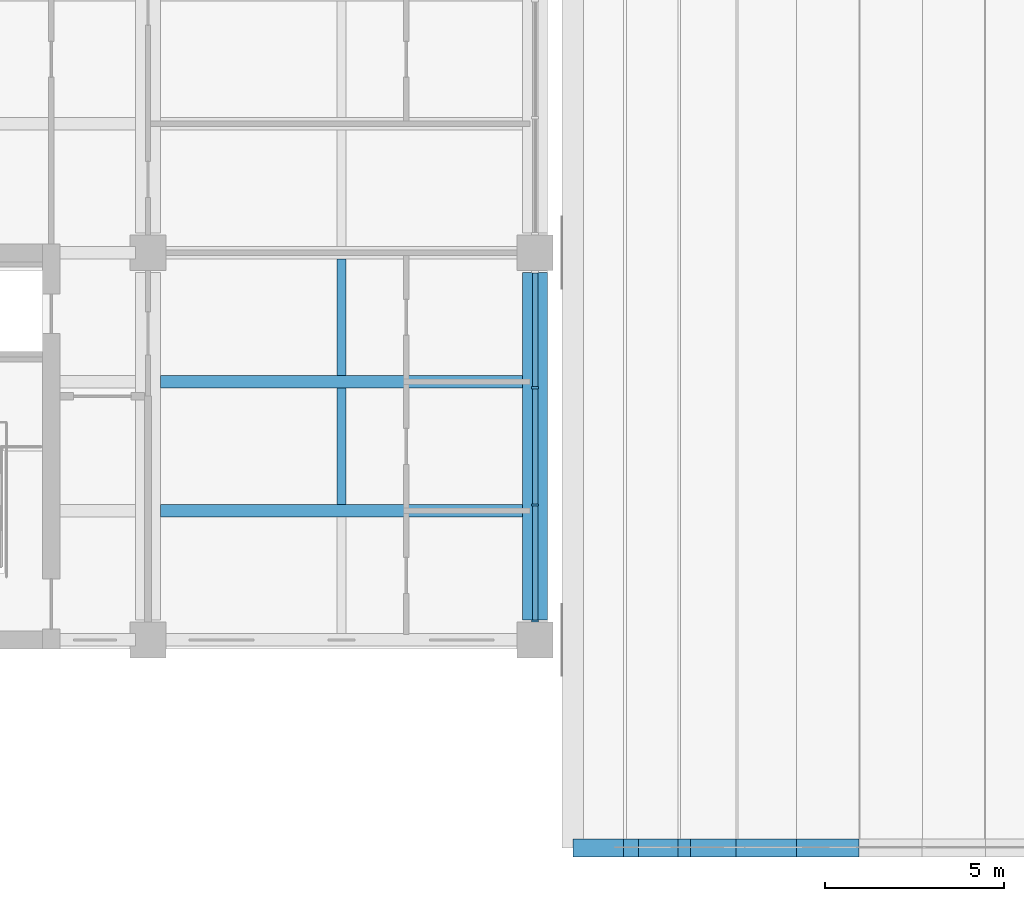
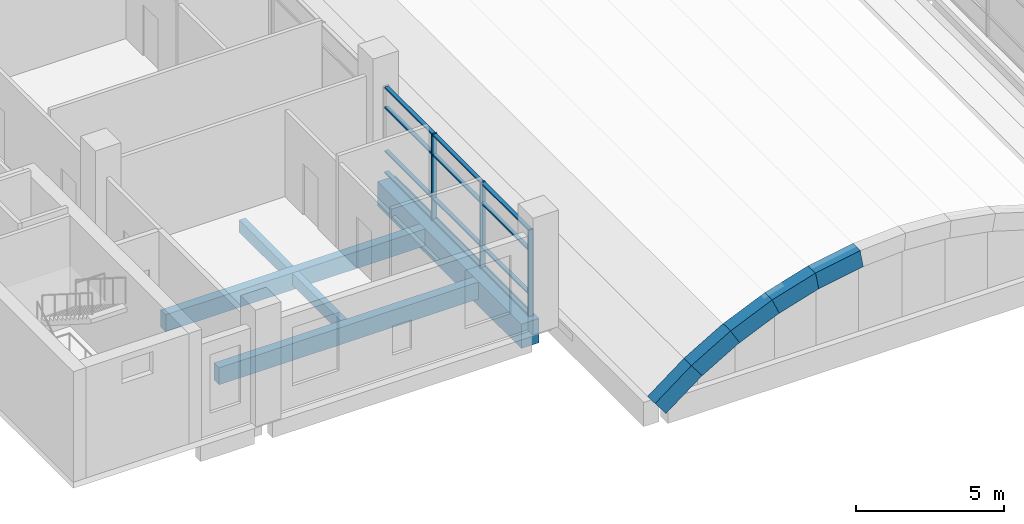
# One storey, part 2 of 45: 15 members, 10 beams, 1 element without a shape of its own.
"""IFC4 building model written with IfcOpenShell, lengths in metres."""

from ifc_helpers import new_model, si_unit, direction, frame, origin, origin_2d, place, context, subcontext, project, spatial, rectangle, extrude, material, layer, layer_set, material_profile, profile_set, type_object, element, aggregate, save


model = new_model("IFC4")

# Units and contexts
model_context = context("Model", 3, precision=1e-05, world=origin(), true_north=direction((0.0, 1.0)))
body_context = subcontext(model_context, "Body", "Model", "MODEL_VIEW")
ifc_project = project(units=[si_unit("LENGTHUNIT", "METRE"), si_unit("AREAUNIT", "SQUARE_METRE"), si_unit("VOLUMEUNIT", "CUBIC_METRE"), si_unit("PLANEANGLEUNIT", "RADIAN"), si_unit("MASSUNIT", "GRAM", prefix="KILO")], contexts=[model_context])

# Site, building, storey
site_placement = place(None, origin())
site = spatial("IfcSite", under=ifc_project, at=site_placement, CompositionType="ELEMENT")
building_placement = place(site_placement, origin())
building = spatial("IfcBuilding", under=site, at=building_placement, Name="Basin Gate Institute", CompositionType="ELEMENT")
storey_placement = place(building_placement, frame((0.0, 0.0, 22.199951171875)))
storey = spatial("IfcBuildingStorey", under=building, at=storey_placement, Name="L04", CompositionType="ELEMENT", Elevation=22.199951171875)

# Beams
ifc_material_1 = material(Name="Concrete 40 MPa", Category="concrete")
ifc_material_profile_1 = material_profile(ifc_material_1, rectangle(XDim=0.35009765625, YDim=0.699951171875, at=origin_2d()), Name="Beam B1 350 x 700")
ifc_profile_set_1 = profile_set([ifc_material_profile_1], Name="Concrete 40 MPa")
beam_type_1 = type_object("IfcBeamType", Name="Beam B1 R120", PredefinedType="BEAM", material=ifc_profile_set_1)
for number, where, z_axis, x_axis, name in (
    (1, (68.75, 38.699951171875, -0.599853515625), (1.0, 0.0, 0.0), (0.0, 1.0, 0.0), "BEAM/L04/W/EW/02"),
    (2, (68.75, 42.300048828125, -0.599853515625), (1.0, 0.0, 0.0), (0.0, 1.0, 0.0), "BEAM/L04/W/EW/03"),
):
    element("IfcBeam", number, at=place(storey_placement, frame(where, z_axis=z_axis, x_axis=x_axis)), inside=storey, type_object=beam_type_1, material=ifc_profile_set_1, Name=name, PredefinedType="BEAM", context=body_context, shape_type="SweptSolid", body=[
        extrude(rectangle(XDim=0.35009765625, YDim=0.699951171875, at=origin_2d()), origin(), (0.0, 0.0, 1.0), 10.10009765625),
    ])
ifc_material_2 = material(Name="Concrete 50 MPa", Category="concrete")
ifc_material_profile_2 = material_profile(ifc_material_2, rectangle(XDim=0.699951171875, YDim=1.0, at=origin_2d()), Name="Girder G1 700 x 1000")
ifc_profile_set_2 = profile_set([ifc_material_profile_2], Name="Concrete 50 MPa")
beam_type_2 = type_object("IfcBeamType", Name="Girder G1 R120", PredefinedType="BEAM", material=ifc_profile_set_2)
beam_1_placement = place(storey_placement, frame((79.199951171875, 35.64990234375, -0.75), z_axis=(0.0, 1.0, 0.0), x_axis=(-1.0, 0.0, 0.0)))
element("IfcBeam", 3, at=beam_1_placement, inside=storey, type_object=beam_type_2, material=ifc_profile_set_2, Name="GIR/L04/W6/1", PredefinedType="BEAM", context=body_context, shape_type="SweptSolid", body=[
    extrude(rectangle(XDim=0.699951171875, YDim=1.0, at=origin_2d()), origin(), (0.0, 0.0, 1.0), 9.7001953125),
])

# Curtain wall, members
ifc_material_3 = material(Name="Aluminium-framed glazing", Category="aluminium")
ifc_layer = layer(ifc_material_3, 0.199951171875)
ifc_layer_set = layer_set([ifc_layer], Name="Atrium curtain wall CW2")
curtain_wall_type = type_object("IfcCurtainWallType", Name="Atrium curtain wall CW2", PredefinedType="NOTDEFINED", material=ifc_layer_set)
curtain_wall_placement = place(storey_placement, origin())
curtain_wall = element("IfcCurtainWall", 4, at=curtain_wall_placement, inside=storey, type_object=curtain_wall_type, material=ifc_layer_set, Name="Atrium curtain wall W wing atrium bay 1 L04", PredefinedType="NOTDEFINED")
ifc_material_4 = material(Name="Aluminium", Category="aluminium")
ifc_material_profile_3 = material_profile(ifc_material_4, rectangle(XDim=0.199951171875, YDim=0.06005859375, at=origin_2d()), Name="Mullion MU2 200 x 60")
ifc_profile_set_3 = profile_set([ifc_material_profile_3], Name="Aluminium")
member_type_1 = type_object("IfcMemberType", Name="Mullion MU2", PredefinedType="MULLION", material=ifc_profile_set_3)
member_1_placement = place(storey_placement, frame((79.199951171875, 35.6298828125, 0.0), z_axis=(0.0, 0.0, 1.0), x_axis=(-1.0, 0.0, 0.0)))
member_1 = element("IfcMember", 5, at=member_1_placement, type_object=member_type_1, material=ifc_profile_set_3, Name="CW2 mullion 1", PredefinedType="MULLION", context=body_context, shape_type="SweptSolid", body=[
    extrude(rectangle(XDim=0.199951171875, YDim=0.06005859375, at=origin_2d()), origin(), (0.0, 0.0, 1.0), 3.550048828125),
])
member_2_placement = place(storey_placement, frame((79.199951171875, 38.86669921875, 0.0), z_axis=(0.0, 0.0, 1.0), x_axis=(-1.0, 0.0, 0.0)))
member_2 = element("IfcMember", 6, at=member_2_placement, type_object=member_type_1, material=ifc_profile_set_3, Name="CW2 mullion 2", PredefinedType="MULLION", context=body_context, shape_type="SweptSolid", body=[
    extrude(rectangle(XDim=0.199951171875, YDim=0.06005859375, at=origin_2d()), origin(), (0.0, 0.0, 1.0), 3.550048828125),
])
member_3_placement = place(storey_placement, frame((79.199951171875, 42.13330078125, 0.0), z_axis=(0.0, 0.0, 1.0), x_axis=(-1.0, 0.0, 0.0)))
member_3 = element("IfcMember", 7, at=member_3_placement, type_object=member_type_1, material=ifc_profile_set_3, Name="CW2 mullion 3", PredefinedType="MULLION", context=body_context, shape_type="SweptSolid", body=[
    extrude(rectangle(XDim=0.199951171875, YDim=0.06005859375, at=origin_2d()), origin(), (0.0, 0.0, 1.0), 3.550048828125),
])

# Beams
ifc_material_5 = material(Name="Concrete 40 MPa", Category="concrete")
ifc_material_profile_4 = material_profile(ifc_material_5, rectangle(XDim=0.25, YDim=0.5, at=origin_2d()), Name="Rib R1 250 x 500")
ifc_profile_set_4 = profile_set([ifc_material_profile_4], Name="Concrete 40 MPa")
beam_type_3 = type_object("IfcBeamType", Name="Rib R1 R120", PredefinedType="JOIST", material=ifc_profile_set_4)
for number, where, z_axis, x_axis, name in (
    (8, (73.800048828125, 38.875, -0.5), (0.0, 1.0, 0.0), (-1.0, 0.0, 0.0), "BEAM/L04/W/RIB/02"),
    (9, (73.800048828125, 42.47509765625, -0.5), (0.0, 1.0, 0.0), (-1.0, 0.0, 0.0), "BEAM/L04/W/RIB/03"),
):
    element("IfcBeam", number, at=place(storey_placement, frame(where, z_axis=z_axis, x_axis=x_axis)), inside=storey, type_object=beam_type_3, material=ifc_profile_set_4, Name=name, PredefinedType="JOIST", context=body_context, shape_type="SweptSolid", body=[
        extrude(rectangle(XDim=0.25, YDim=0.5, at=origin_2d()), origin(), (0.0, 0.0, 1.0), 3.25),
    ])
ifc_material_6 = material(Name="Concrete 40 MPa", Category="concrete")
ifc_material_profile_5 = material_profile(ifc_material_6, rectangle(XDim=0.5, YDim=0.699951171875, at=origin_2d()), Name="Shell arch rib SR1 500 x 700")
ifc_profile_set_5 = profile_set([ifc_material_profile_5], Name="Concrete 40 MPa")
beam_type_4 = type_object("IfcBeamType", Name="Shell arch rib SR1 R120", PredefinedType="BEAM", material=ifc_profile_set_5)
beam_2_placement = place(storey_placement, frame((80.4609375, 29.300048828125, -0.279052734375), z_axis=(0.796941083787, 0.0, 0.604057041158), x_axis=(0.0, 1.0, 0.0)))
element("IfcBeam", 10, at=beam_2_placement, inside=storey, type_object=beam_type_4, material=ifc_profile_set_5, Name="Atrium shell end rib 1 segment 1", PredefinedType="BEAM", context=body_context, shape_type="SweptSolid", body=[
    extrude(rectangle(XDim=0.5, YDim=0.699951171875, at=origin_2d()), origin(), (0.0, 0.0, 1.0), 1.768310546875),
])
beam_3_placement = place(storey_placement, frame((81.8359375, 29.300048828125, 0.76611328125), z_axis=(0.862700047675, 0.0, 0.505715955593), x_axis=(0.0, 1.0, 0.0)))
element("IfcBeam", 11, at=beam_3_placement, inside=storey, type_object=beam_type_4, material=ifc_profile_set_5, Name="Atrium shell end rib 1 segment 2", PredefinedType="BEAM", context=body_context, shape_type="SweptSolid", body=[
    extrude(rectangle(XDim=0.5, YDim=0.699951171875, at=origin_2d()), origin(), (0.0, 0.0, 1.0), 1.767822265625),
])
beam_4_placement = place(storey_placement, frame((83.323974609375, 29.300048828125, 1.64111328125), z_axis=(0.916030487787, 0.0, 0.401108645436), x_axis=(0.0, 1.0, 0.0)))
element("IfcBeam", 12, at=beam_4_placement, inside=storey, type_object=beam_type_4, material=ifc_profile_set_5, Name="Atrium shell end rib 1 segment 3", PredefinedType="BEAM", context=body_context, shape_type="SweptSolid", body=[
    extrude(rectangle(XDim=0.5, YDim=0.699951171875, at=origin_2d()), origin(), (0.0, 0.0, 1.0), 1.767578125),
])
beam_5_placement = place(storey_placement, frame((84.905029296875, 29.300048828125, 2.3359375), z_axis=(0.956794187978, 0.0, 0.290766025957), x_axis=(0.0, 1.0, 0.0)))
element("IfcBeam", 13, at=beam_5_placement, inside=storey, type_object=beam_type_4, material=ifc_profile_set_5, Name="Atrium shell end rib 1 segment 4", PredefinedType="BEAM", context=body_context, shape_type="SweptSolid", body=[
    extrude(rectangle(XDim=0.5, YDim=0.699951171875, at=origin_2d()), origin(), (0.0, 0.0, 1.0), 1.768310546875),
])
beam_6_placement = place(storey_placement, frame((86.556884765625, 29.300048828125, 2.840087890625), z_axis=(0.984400250243, 0.0, 0.175943591303), x_axis=(0.0, 1.0, 0.0)))
element("IfcBeam", 14, at=beam_6_placement, inside=storey, type_object=beam_type_4, material=ifc_profile_set_5, Name="Atrium shell end rib 1 segment 5", PredefinedType="BEAM", context=body_context, shape_type="SweptSolid", body=[
    extrude(rectangle(XDim=0.5, YDim=0.699951171875, at=origin_2d()), origin(), (0.0, 0.0, 1.0), 1.767822265625),
])

# Member
ifc_material_7 = material(Name="Aluminium", Category="aluminium")
ifc_material_profile_6 = material_profile(ifc_material_7, rectangle(XDim=0.14990234375, YDim=0.06005859375, at=origin_2d()), Name="Transom TR2 150 x 60")
ifc_profile_set_6 = profile_set([ifc_material_profile_6], Name="Aluminium")
member_type_2 = type_object("IfcMemberType", Name="Transom TR2", PredefinedType="USERDEFINED", material=ifc_profile_set_6)
member_4_placement = place(storey_placement, frame((79.199951171875, 35.659912109375, 0.030029296875), z_axis=(0.0, 1.0, 0.0), x_axis=(-1.0, 0.0, 0.0)))
member_4 = element("IfcMember", 15, at=member_4_placement, type_object=member_type_2, material=ifc_profile_set_6, Name="CW2 transom 1.1", ObjectType="TRANSOM", PredefinedType="USERDEFINED", context=body_context, shape_type="SweptSolid", body=[
    extrude(rectangle(XDim=0.14990234375, YDim=0.06005859375, at=origin_2d()), origin(), (0.0, 0.0, 1.0), 3.1767578125),
])

member_5_placement = place(storey_placement, frame((79.199951171875, 35.659912109375, 0.900146484375), z_axis=(0.0, 1.0, 0.0), x_axis=(-1.0, 0.0, 0.0)))
member_5 = element("IfcMember", 16, at=member_5_placement, type_object=member_type_2, material=ifc_profile_set_6, Name="CW2 transom 1.2", ObjectType="TRANSOM", PredefinedType="USERDEFINED", context=body_context, shape_type="SweptSolid", body=[
    extrude(rectangle(XDim=0.14990234375, YDim=0.06005859375, at=origin_2d()), origin(), (0.0, 0.0, 1.0), 3.1767578125),
])

member_6_placement = place(storey_placement, frame((79.199951171875, 35.659912109375, 2.699951171875), z_axis=(0.0, 1.0, 0.0), x_axis=(-1.0, 0.0, 0.0)))
member_6 = element("IfcMember", 17, at=member_6_placement, type_object=member_type_2, material=ifc_profile_set_6, Name="CW2 transom 1.3", ObjectType="TRANSOM", PredefinedType="USERDEFINED", context=body_context, shape_type="SweptSolid", body=[
    extrude(rectangle(XDim=0.14990234375, YDim=0.06005859375, at=origin_2d()), origin(), (0.0, 0.0, 1.0), 3.1767578125),
])

member_7_placement = place(storey_placement, frame((79.199951171875, 35.659912109375, 3.52001953125), z_axis=(0.0, 1.0, 0.0), x_axis=(-1.0, 0.0, 0.0)))
member_7 = element("IfcMember", 18, at=member_7_placement, type_object=member_type_2, material=ifc_profile_set_6, Name="CW2 transom 1.4", ObjectType="TRANSOM", PredefinedType="USERDEFINED", context=body_context, shape_type="SweptSolid", body=[
    extrude(rectangle(XDim=0.14990234375, YDim=0.06005859375, at=origin_2d()), origin(), (0.0, 0.0, 1.0), 3.1767578125),
])

member_8_placement = place(storey_placement, frame((79.199951171875, 38.896728515625, 0.030029296875), z_axis=(0.0, 1.0, 0.0), x_axis=(-1.0, 0.0, 0.0)))
member_8 = element("IfcMember", 19, at=member_8_placement, type_object=member_type_2, material=ifc_profile_set_6, Name="CW2 transom 2.1", ObjectType="TRANSOM", PredefinedType="USERDEFINED", context=body_context, shape_type="SweptSolid", body=[
    extrude(rectangle(XDim=0.14990234375, YDim=0.06005859375, at=origin_2d()), origin(), (0.0, 0.0, 1.0), 3.20654296875),
])

member_9_placement = place(storey_placement, frame((79.199951171875, 38.896728515625, 0.900146484375), z_axis=(0.0, 1.0, 0.0), x_axis=(-1.0, 0.0, 0.0)))
member_9 = element("IfcMember", 20, at=member_9_placement, type_object=member_type_2, material=ifc_profile_set_6, Name="CW2 transom 2.2", ObjectType="TRANSOM", PredefinedType="USERDEFINED", context=body_context, shape_type="SweptSolid", body=[
    extrude(rectangle(XDim=0.14990234375, YDim=0.06005859375, at=origin_2d()), origin(), (0.0, 0.0, 1.0), 3.20654296875),
])

member_10_placement = place(storey_placement, frame((79.199951171875, 38.896728515625, 2.699951171875), z_axis=(0.0, 1.0, 0.0), x_axis=(-1.0, 0.0, 0.0)))
member_10 = element("IfcMember", 21, at=member_10_placement, type_object=member_type_2, material=ifc_profile_set_6, Name="CW2 transom 2.3", ObjectType="TRANSOM", PredefinedType="USERDEFINED", context=body_context, shape_type="SweptSolid", body=[
    extrude(rectangle(XDim=0.14990234375, YDim=0.06005859375, at=origin_2d()), origin(), (0.0, 0.0, 1.0), 3.20654296875),
])

member_11_placement = place(storey_placement, frame((79.199951171875, 38.896728515625, 3.52001953125), z_axis=(0.0, 1.0, 0.0), x_axis=(-1.0, 0.0, 0.0)))
member_11 = element("IfcMember", 22, at=member_11_placement, type_object=member_type_2, material=ifc_profile_set_6, Name="CW2 transom 2.4", ObjectType="TRANSOM", PredefinedType="USERDEFINED", context=body_context, shape_type="SweptSolid", body=[
    extrude(rectangle(XDim=0.14990234375, YDim=0.06005859375, at=origin_2d()), origin(), (0.0, 0.0, 1.0), 3.20654296875),
])

member_12_placement = place(storey_placement, frame((79.199951171875, 42.163330078125, 0.030029296875), z_axis=(0.0, 1.0, 0.0), x_axis=(-1.0, 0.0, 0.0)))
member_12 = element("IfcMember", 23, at=member_12_placement, type_object=member_type_2, material=ifc_profile_set_6, Name="CW2 transom 3.1", ObjectType="TRANSOM", PredefinedType="USERDEFINED", context=body_context, shape_type="SweptSolid", body=[
    extrude(rectangle(XDim=0.14990234375, YDim=0.06005859375, at=origin_2d()), origin(), (0.0, 0.0, 1.0), 3.1767578125),
])

member_13_placement = place(storey_placement, frame((79.199951171875, 42.163330078125, 0.900146484375), z_axis=(0.0, 1.0, 0.0), x_axis=(-1.0, 0.0, 0.0)))
member_13 = element("IfcMember", 24, at=member_13_placement, type_object=member_type_2, material=ifc_profile_set_6, Name="CW2 transom 3.2", ObjectType="TRANSOM", PredefinedType="USERDEFINED", context=body_context, shape_type="SweptSolid", body=[
    extrude(rectangle(XDim=0.14990234375, YDim=0.06005859375, at=origin_2d()), origin(), (0.0, 0.0, 1.0), 3.1767578125),
])

member_14_placement = place(storey_placement, frame((79.199951171875, 42.163330078125, 2.699951171875), z_axis=(0.0, 1.0, 0.0), x_axis=(-1.0, 0.0, 0.0)))
member_14 = element("IfcMember", 25, at=member_14_placement, type_object=member_type_2, material=ifc_profile_set_6, Name="CW2 transom 3.3", ObjectType="TRANSOM", PredefinedType="USERDEFINED", context=body_context, shape_type="SweptSolid", body=[
    extrude(rectangle(XDim=0.14990234375, YDim=0.06005859375, at=origin_2d()), origin(), (0.0, 0.0, 1.0), 3.1767578125),
])

member_15_placement = place(storey_placement, frame((79.199951171875, 42.163330078125, 3.52001953125), z_axis=(0.0, 1.0, 0.0), x_axis=(-1.0, 0.0, 0.0)))
member_15 = element("IfcMember", 26, at=member_15_placement, type_object=member_type_2, material=ifc_profile_set_6, Name="CW2 transom 3.4", ObjectType="TRANSOM", PredefinedType="USERDEFINED", context=body_context, shape_type="SweptSolid", body=[
    extrude(rectangle(XDim=0.14990234375, YDim=0.06005859375, at=origin_2d()), origin(), (0.0, 0.0, 1.0), 3.1767578125),
])

aggregate(curtain_wall, [member_1, member_2, member_3, member_4, member_5, member_6, member_7, member_8, member_9, member_10, member_11, member_12, member_13, member_14, member_15])

save(model, "model.ifc")
